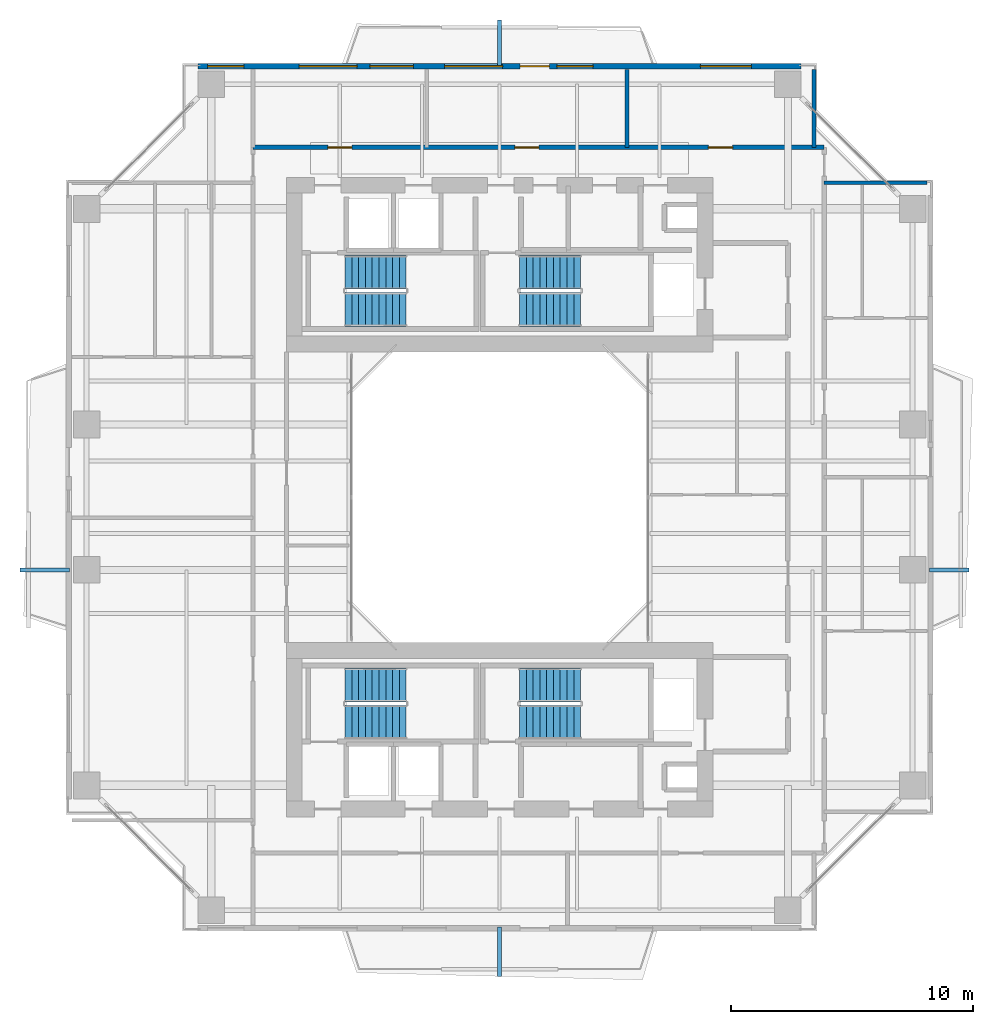
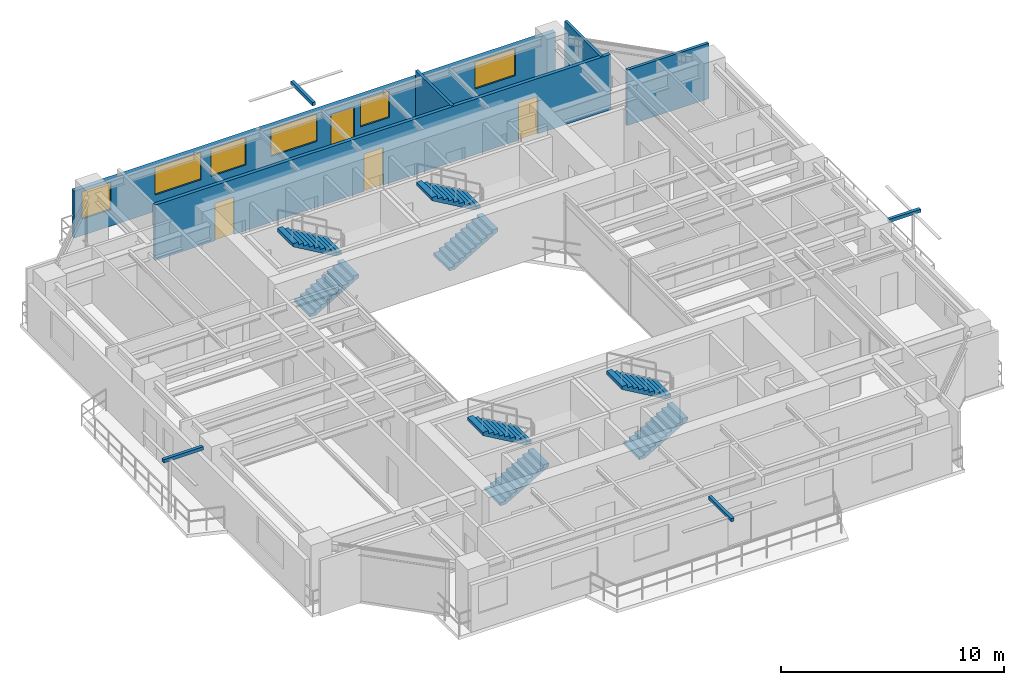
# One storey, part 13 of 16: 8 stair flights, 6 windows, 5 walls, 4 discrete accessories, 4 doors, 10 openings, 4 elements without a shape of their own.
"""IFC4 building model written with IfcOpenShell, lengths in metres."""

from ifc_helpers import new_model, si_unit, direction, frame, frame_2d, origin, origin_2d, place, context, subcontext, project, spatial, polyline, rectangle, outline, extrude, source, transform, mapped, material, layer, layer_set, type_object, element, fill, aggregate, save


model = new_model("IFC4")

# Units and contexts
model_context = context("Model", 3, precision=1e-05, world=origin(), true_north=direction((0.0, 1.0)))
body_context = subcontext(model_context, "Body", "Model", "MODEL_VIEW")
ifc_project = project(units=[si_unit("LENGTHUNIT", "METRE"), si_unit("AREAUNIT", "SQUARE_METRE"), si_unit("VOLUMEUNIT", "CUBIC_METRE"), si_unit("PLANEANGLEUNIT", "RADIAN"), si_unit("MASSUNIT", "GRAM", prefix="KILO"), si_unit("THERMODYNAMICTEMPERATUREUNIT", "KELVIN"), si_unit("POWERUNIT", "WATT")], contexts=[model_context])

# Site, building, storey
site_placement = place(None, origin())
site = spatial("IfcSite", under=ifc_project, at=site_placement, CompositionType="ELEMENT")
building_placement = place(site_placement, origin())
building = spatial("IfcBuilding", under=site, at=building_placement, Name="Qiaomeng Ring Towers", CompositionType="ELEMENT")
storey_placement = place(building_placement, frame((0.0, 0.0, 136.0)))
storey = spatial("IfcBuildingStorey", under=building, at=storey_placement, Name="L39", CompositionType="ELEMENT", Elevation=136.0)

# Wall, openings, windows, door
ifc_material_1 = material(Name="Precast concrete C40", Category="concrete")
ifc_layer_1 = layer(ifc_material_1, 0.219970703125, Name="Precast concrete C40")
ifc_layer_set_1 = layer_set([ifc_layer_1], Name="Precast concrete C40")
wall_type_1 = type_object("IfcWallType", Name="ARC-WL-EW2", PredefinedType="STANDARD", material=ifc_layer_set_1)
wall_1_placement = place(storey_placement, frame((6.550048828125, 40.7900390625, 0.0), z_axis=(0.0, 0.0, 1.0), x_axis=(1.0, 0.0, 0.0)))
wall_1 = element("IfcWall", 1, at=wall_1_placement, inside=storey, type_object=wall_type_1, Name="L39 Tower 1 N Exterior Wall", PredefinedType="STANDARD", context=body_context, shape_type="SweptSolid", body=[
    extrude(rectangle(XDim=24.89990234375, YDim=0.219970703125, at=frame_2d((12.449951171875, 0.0))), origin(), (0.0, 0.0, 1.0), 2.570068359375),
])
opening_1_placement = place(wall_1_placement, frame((13.300048828125, 0.0, 0.0)))
opening_1 = element("IfcOpeningElement", 2, at=opening_1_placement, cuts=wall_1, Name="Opening BD1", PredefinedType="OPENING", context=body_context, shape_type="SweptSolid", body=[
    extrude(rectangle(XDim=1.199951171875, YDim=2.10009765625, at=frame_2d((0.60009765625, 1.050048828125))), frame((0.0, 0.119873046875, 0.0), z_axis=(0.0, -1.0, 0.0), x_axis=(1.0, 0.0, 0.0)), (0.0, 0.0, 1.0), 0.239990234375),
])
opening_2_placement = place(wall_1_placement, frame((0.392578125, 0.0, 0.89990234375)))
opening_2 = element("IfcOpeningElement", 3, at=opening_2_placement, cuts=wall_1, Name="Opening WN2", PredefinedType="OPENING", context=body_context, shape_type="SweptSolid", body=[
    extrude(rectangle(XDim=1.5, YDim=1.5, at=frame_2d((0.75, 0.75))), frame((0.0, 0.119873046875, 0.0), z_axis=(0.0, -1.0, 0.0), x_axis=(1.0, 0.0, 0.0)), (0.0, 0.0, 1.0), 0.239990234375),
])
opening_3_placement = place(wall_1_placement, frame((7.08837890625, 0.0, 0.89990234375)))
opening_3 = element("IfcOpeningElement", 4, at=opening_3_placement, cuts=wall_1, Name="Opening WN1", PredefinedType="OPENING", context=body_context, shape_type="SweptSolid", body=[
    extrude(rectangle(XDim=1.800048828125, YDim=1.5, at=frame_2d((0.89990234375, 0.75))), frame((0.0, 0.119873046875, 0.0), z_axis=(0.0, -1.0, 0.0), x_axis=(1.0, 0.0, 0.0)), (0.0, 0.0, 1.0), 0.239990234375),
])
opening_4_placement = place(wall_1_placement, frame((14.81298828125, 0.0, 0.89990234375)))
opening_4 = element("IfcOpeningElement", 5, at=opening_4_placement, cuts=wall_1, Name="Opening WN2", PredefinedType="OPENING", context=body_context, shape_type="SweptSolid", body=[
    extrude(rectangle(XDim=1.5, YDim=1.449951171875, at=frame_2d((0.75, 0.72509765625))), frame((0.0, 0.119873046875, 0.0), z_axis=(0.0, -1.0, 0.0), x_axis=(1.0, 0.0, 0.0)), (0.0, 0.0, 1.0), 0.239990234375),
])
opening_5_placement = place(wall_1_placement, frame((20.738037109375, 0.0, 0.89990234375)))
opening_5 = element("IfcOpeningElement", 6, at=opening_5_placement, cuts=wall_1, Name="Opening WN4", PredefinedType="OPENING", context=body_context, shape_type="SweptSolid", body=[
    extrude(rectangle(XDim=2.10009765625, YDim=1.47998046875, at=frame_2d((1.050048828125, 0.739990234375))), frame((0.0, 0.119873046875, 0.0), z_axis=(0.0, -1.0, 0.0), x_axis=(1.0, 0.0, 0.0)), (0.0, 0.0, 1.0), 0.239990234375),
])
opening_6_placement = place(wall_1_placement, frame((4.17138671875, 0.0, 0.89990234375)))
opening_6 = element("IfcOpeningElement", 7, at=opening_6_placement, cuts=wall_1, Name="Opening WN6", PredefinedType="OPENING", context=body_context, shape_type="SweptSolid", body=[
    extrude(rectangle(XDim=2.39990234375, YDim=1.5, at=frame_2d((1.199951171875, 0.75))), frame((0.0, 0.119873046875, 0.0), z_axis=(0.0, -1.0, 0.0), x_axis=(1.0, 0.0, 0.0)), (0.0, 0.0, 1.0), 0.239990234375),
])
opening_7_placement = place(wall_1_placement, frame((10.177490234375, 0.0, 0.89990234375)))
opening_7 = element("IfcOpeningElement", 8, at=opening_7_placement, cuts=wall_1, Name="Opening WN6", PredefinedType="OPENING", context=body_context, shape_type="SweptSolid", body=[
    extrude(rectangle(XDim=2.39990234375, YDim=1.5, at=frame_2d((1.199951171875, 0.75))), frame((0.0, 0.119873046875, 0.0), z_axis=(0.0, -1.0, 0.0), x_axis=(1.0, 0.0, 0.0)), (0.0, 0.0, 1.0), 0.239990234375),
])
ifc_material_2 = material(Name="Low-E dark-grey laminated double glazing", Category="glass")
window_type_1 = type_object("IfcWindowType", Name="ARC-WN-2", PartitioningType="DOUBLE_PANEL_VERTICAL", PredefinedType="WINDOW", material=ifc_material_2)
shared_shape_1 = source(origin(), body_context, "Body", "SweptSolid", [
    extrude(rectangle(XDim=1.5, YDim=1.449951171875, at=frame_2d((0.75, 0.72509765625))), frame((0.0, 0.030029296875, 0.0), z_axis=(0.0, -1.0, 0.0), x_axis=(1.0, 0.0, 0.0)), (0.0, 0.0, 1.0), 0.06005859375),
])
window_1_placement = place(opening_4_placement, origin())
window_1 = element("IfcWindow", 9, at=window_1_placement, inside=storey, type_object=window_type_1, Name="L39 Exterior Window WN2", OverallHeight=1.449951171875, OverallWidth=1.5, PartitioningType="DOUBLE_PANEL_VERTICAL", PredefinedType="WINDOW", context=body_context, shape_type="MappedRepresentation", body=[
    mapped(shared_shape_1, transform((0.0, 0.0, 0.0), x_axis=(1.0, 0.0, 0.0), y_axis=(0.0, 1.0, 0.0), z_axis=(0.0, 0.0, 1.0), scale=1.0)),
])
fill(opening_4, window_1)
window_type_2 = type_object("IfcWindowType", Name="ARC-WN-4", PartitioningType="TRIPLE_PANEL_VERTICAL", PredefinedType="WINDOW", material=ifc_material_2)
shared_shape_2 = source(origin(), body_context, "Body", "SweptSolid", [
    extrude(rectangle(XDim=2.10009765625, YDim=1.47998046875, at=frame_2d((1.050048828125, 0.739990234375))), frame((0.0, 0.030029296875, 0.0), z_axis=(0.0, -1.0, 0.0), x_axis=(1.0, 0.0, 0.0)), (0.0, 0.0, 1.0), 0.06005859375),
])
window_2_placement = place(opening_5_placement, origin())
window_2 = element("IfcWindow", 10, at=window_2_placement, inside=storey, type_object=window_type_2, Name="L39 Exterior Window WN4", OverallHeight=1.47998046875, OverallWidth=2.10009765625, PartitioningType="TRIPLE_PANEL_VERTICAL", PredefinedType="WINDOW", context=body_context, shape_type="MappedRepresentation", body=[
    mapped(shared_shape_2, transform((0.0, 0.0, 0.0), x_axis=(1.0, 0.0, 0.0), y_axis=(0.0, 1.0, 0.0), z_axis=(0.0, 0.0, 1.0), scale=1.0)),
])
fill(opening_5, window_2)
door_type_1 = type_object("IfcDoorType", Name="ARC-DR-BD1", OperationType="NOTDEFINED", PredefinedType="DOOR", material=ifc_material_2)
shared_shape_3 = source(origin(), body_context, "Body", "SweptSolid", [
    extrude(rectangle(XDim=1.199951171875, YDim=2.10009765625, at=frame_2d((0.60009765625, 1.050048828125))), frame((0.0, 0.02490234375, 0.0), z_axis=(0.0, -1.0, 0.0), x_axis=(1.0, 0.0, 0.0)), (0.0, 0.0, 1.0), 0.050048828125),
])
door_1_placement = place(opening_1_placement, origin())
door_1 = element("IfcDoor", 11, at=door_1_placement, inside=storey, type_object=door_type_1, Name="L39 N Balcony Glazed Door", OperationType="SINGLE_SWING_LEFT", OverallHeight=2.10009765625, OverallWidth=1.199951171875, PredefinedType="DOOR", context=body_context, shape_type="MappedRepresentation", body=[
    mapped(shared_shape_3, transform((0.0, 0.0, 0.0), x_axis=(1.0, 0.0, 0.0), y_axis=(0.0, 1.0, 0.0), z_axis=(0.0, 0.0, 1.0), scale=1.0)),
])
fill(opening_1, door_1)
shared_shape_4 = source(origin(), body_context, "Body", "SweptSolid", [
    extrude(rectangle(XDim=1.5, YDim=1.5, at=frame_2d((0.75, 0.75))), frame((0.0, 0.030029296875, 0.0), z_axis=(0.0, -1.0, 0.0), x_axis=(1.0, 0.0, 0.0)), (0.0, 0.0, 1.0), 0.06005859375),
])
window_3_placement = place(opening_2_placement, origin())
window_3 = element("IfcWindow", 12, at=window_3_placement, inside=storey, type_object=window_type_1, Name="L39 Exterior Window WN6", OverallHeight=1.5, OverallWidth=1.5, PartitioningType="TRIPLE_PANEL_VERTICAL", PredefinedType="WINDOW", context=body_context, shape_type="MappedRepresentation", body=[
    mapped(shared_shape_4, transform((0.0, 0.0, 0.0), x_axis=(1.0, 0.0, 0.0), y_axis=(0.0, 1.0, 0.0), z_axis=(0.0, 0.0, 1.0), scale=1.0)),
])
fill(opening_2, window_3)
window_type_3 = type_object("IfcWindowType", Name="ARC-WN-6", PartitioningType="TRIPLE_PANEL_VERTICAL", PredefinedType="WINDOW", material=ifc_material_2)
shared_shape_5 = source(origin(), body_context, "Body", "SweptSolid", [
    extrude(rectangle(XDim=2.39990234375, YDim=1.5, at=frame_2d((1.199951171875, 0.75))), frame((0.0, 0.030029296875, 0.0), z_axis=(0.0, -1.0, 0.0), x_axis=(1.0, 0.0, 0.0)), (0.0, 0.0, 1.0), 0.06005859375),
])
window_4_placement = place(opening_6_placement, origin())
window_4 = element("IfcWindow", 13, at=window_4_placement, inside=storey, type_object=window_type_3, Name="L39 Exterior Window WN6", OverallHeight=1.5, OverallWidth=2.39990234375, PartitioningType="TRIPLE_PANEL_VERTICAL", PredefinedType="WINDOW", context=body_context, shape_type="MappedRepresentation", body=[
    mapped(shared_shape_5, transform((0.0, 0.0, 0.0), x_axis=(1.0, 0.0, 0.0), y_axis=(0.0, 1.0, 0.0), z_axis=(0.0, 0.0, 1.0), scale=1.0)),
])
fill(opening_6, window_4)
window_5_placement = place(opening_7_placement, origin())
window_5 = element("IfcWindow", 14, at=window_5_placement, inside=storey, type_object=window_type_3, Name="L39 Exterior Window WN6", OverallHeight=1.5, OverallWidth=2.39990234375, PartitioningType="TRIPLE_PANEL_VERTICAL", PredefinedType="WINDOW", context=body_context, shape_type="MappedRepresentation", body=[
    mapped(shared_shape_5, transform((0.0, 0.0, 0.0), x_axis=(1.0, 0.0, 0.0), y_axis=(0.0, 1.0, 0.0), z_axis=(0.0, 0.0, 1.0), scale=1.0)),
])
fill(opening_7, window_5)
window_type_4 = type_object("IfcWindowType", Name="ARC-WN-1", PartitioningType="DOUBLE_PANEL_VERTICAL", PredefinedType="WINDOW", material=ifc_material_2)
shared_shape_6 = source(origin(), body_context, "Body", "SweptSolid", [
    extrude(rectangle(XDim=1.800048828125, YDim=1.5, at=frame_2d((0.89990234375, 0.75))), frame((0.0, 0.030029296875, 0.0), z_axis=(0.0, -1.0, 0.0), x_axis=(1.0, 0.0, 0.0)), (0.0, 0.0, 1.0), 0.06005859375),
])
window_6_placement = place(opening_3_placement, origin())
window_6 = element("IfcWindow", 15, at=window_6_placement, inside=storey, type_object=window_type_4, Name="L39 Exterior Window WN1", OverallHeight=1.5, OverallWidth=1.800048828125, PartitioningType="DOUBLE_PANEL_VERTICAL", PredefinedType="WINDOW", context=body_context, shape_type="MappedRepresentation", body=[
    mapped(shared_shape_6, transform((0.0, 0.0, 0.0), x_axis=(1.0, 0.0, 0.0), y_axis=(0.0, 1.0, 0.0), z_axis=(0.0, 0.0, 1.0), scale=1.0)),
])
fill(opening_3, window_6)

# Wall, openings, doors
ifc_material_3 = material(Name="Autoclaved aerated concrete block", Category="concrete")
ifc_layer_2 = layer(ifc_material_3, 0.179931640625, Name="Autoclaved aerated concrete block")
ifc_layer_set_2 = layer_set([ifc_layer_2], Name="Autoclaved aerated concrete block")
wall_type_2 = type_object("IfcWallType", Name="ARC-WL-PW2", PredefinedType="PARTITIONING", material=ifc_layer_set_2)
wall_2_placement = place(storey_placement, frame((8.820068359375, 37.43994140625, 0.0), z_axis=(0.0, 0.0, 1.0), x_axis=(1.0, 0.0, 0.0)))
wall_2 = element("IfcWall", 16, at=wall_2_placement, inside=storey, type_object=wall_type_2, Name="L39 Interior Wall PW2", PredefinedType="PARTITIONING", context=body_context, shape_type="SweptSolid", body=[
    extrude(rectangle(XDim=23.579833984375, YDim=0.179931640625, at=frame_2d((11.7900390625, 0.0))), origin(), (0.0, 0.0, 1.0), 3.030029296875),
])
opening_8_placement = place(wall_2_placement, frame((3.0849609375, 0.0, 0.0)))
opening_8 = element("IfcOpeningElement", 17, at=opening_8_placement, cuts=wall_2, Name="Opening FD4", PredefinedType="OPENING", context=body_context, shape_type="SweptSolid", body=[
    extrude(rectangle(XDim=1.0, YDim=2.050048828125, at=frame_2d((0.5, 1.02490234375))), frame((0.0, 0.099853515625, 0.0), z_axis=(0.0, -1.0, 0.0), x_axis=(1.0, 0.0, 0.0)), (0.0, 0.0, 1.0), 0.199951171875),
])
opening_9_placement = place(wall_2_placement, frame((10.804931640625, 0.0, 0.0)))
opening_9 = element("IfcOpeningElement", 18, at=opening_9_placement, cuts=wall_2, Name="Opening FD4", PredefinedType="OPENING", context=body_context, shape_type="SweptSolid", body=[
    extrude(rectangle(XDim=1.0, YDim=2.050048828125, at=frame_2d((0.5, 1.02490234375))), frame((0.0, 0.099853515625, 0.0), z_axis=(0.0, -1.0, 0.0), x_axis=(1.0, 0.0, 0.0)), (0.0, 0.0, 1.0), 0.199951171875),
])
opening_10_placement = place(wall_2_placement, frame((18.800048828125, 0.0, 0.0)))
opening_10 = element("IfcOpeningElement", 19, at=opening_10_placement, cuts=wall_2, Name="Opening FD4", PredefinedType="OPENING", context=body_context, shape_type="SweptSolid", body=[
    extrude(rectangle(XDim=1.0, YDim=2.050048828125, at=frame_2d((0.5, 1.02490234375))), frame((0.0, 0.099853515625, 0.0), z_axis=(0.0, -1.0, 0.0), x_axis=(1.0, 0.0, 0.0)), (0.0, 0.0, 1.0), 0.199951171875),
])
ifc_material_4 = material(Name="Engineered fire-rated oak timber", Category="wood")
door_type_2 = type_object("IfcDoorType", Name="ARC-DR-FD4", OperationType="NOTDEFINED", PredefinedType="DOOR", material=ifc_material_4)
shared_shape_7 = source(origin(), body_context, "Body", "SweptSolid", [
    extrude(rectangle(XDim=1.0, YDim=2.050048828125, at=frame_2d((0.5, 1.02490234375))), frame((0.0, 0.02490234375, 0.0), z_axis=(0.0, -1.0, 0.0), x_axis=(1.0, 0.0, 0.0)), (0.0, 0.0, 1.0), 0.050048828125),
])
door_2_placement = place(opening_8_placement, origin())
door_2 = element("IfcDoor", 20, at=door_2_placement, inside=storey, type_object=door_type_2, Name="L39 Door FD4", OperationType="SINGLE_SWING_LEFT", OverallHeight=2.050048828125, OverallWidth=1.0, PredefinedType="DOOR", context=body_context, shape_type="MappedRepresentation", body=[
    mapped(shared_shape_7, transform((0.0, 0.0, 0.0), x_axis=(1.0, 0.0, 0.0), y_axis=(0.0, 1.0, 0.0), z_axis=(0.0, 0.0, 1.0), scale=1.0)),
])
fill(opening_8, door_2)
door_3_placement = place(opening_9_placement, origin())
door_3 = element("IfcDoor", 21, at=door_3_placement, inside=storey, type_object=door_type_2, Name="L39 Door FD4", OperationType="SINGLE_SWING_RIGHT", OverallHeight=2.050048828125, OverallWidth=1.0, PredefinedType="DOOR", context=body_context, shape_type="MappedRepresentation", body=[
    mapped(shared_shape_7, transform((0.0, 0.0, 0.0), x_axis=(1.0, 0.0, 0.0), y_axis=(0.0, 1.0, 0.0), z_axis=(0.0, 0.0, 1.0), scale=1.0)),
])
fill(opening_9, door_3)
door_4_placement = place(opening_10_placement, origin())
door_4 = element("IfcDoor", 22, at=door_4_placement, inside=storey, type_object=door_type_2, Name="L39 Door FD4", OperationType="SINGLE_SWING_LEFT", OverallHeight=2.050048828125, OverallWidth=1.0, PredefinedType="DOOR", context=body_context, shape_type="MappedRepresentation", body=[
    mapped(shared_shape_7, transform((0.0, 0.0, 0.0), x_axis=(1.0, 0.0, 0.0), y_axis=(0.0, 1.0, 0.0), z_axis=(0.0, 0.0, 1.0), scale=1.0)),
])
fill(opening_10, door_4)

# Walls
ifc_material_5 = material(Name="Gypsum fireboard steel-stud partition", Category="steel")
ifc_layer_3 = layer(ifc_material_5, 0.14990234375, Name="Gypsum fireboard steel-stud partition")
ifc_layer_set_3 = layer_set([ifc_layer_3], Name="Gypsum fireboard steel-stud partition")
wall_type_3 = type_object("IfcWallType", Name="ARC-WL-PW3", PredefinedType="PARTITIONING", material=ifc_layer_set_3)
for number, where, z_axis, x_axis, name in (
    (23, (24.260009765625, 37.43994140625, 0.0), (0.0, 0.0, 1.0), (0.0, 1.0, 0.0), "L39 Interior Wall PW3"),
    (24, (31.97998046875, 37.43994140625, 0.0), (0.0, 0.0, 1.0), (0.0, 1.0, 0.0), "L39 Interior Wall PW3"),
):
    element("IfcWall", number, at=place(storey_placement, frame(where, z_axis=z_axis, x_axis=x_axis)), inside=storey, type_object=wall_type_3, Name=name, PredefinedType="PARTITIONING", context=body_context, shape_type="SweptSolid", body=[
        extrude(rectangle(XDim=3.2099609375, YDim=0.14990234375, at=frame_2d((1.60498046875, 0.0))), origin(), (0.0, 0.0, 1.0), 3.030029296875),
    ])
wall_3_placement = place(storey_placement, frame((32.39990234375, 35.97998046875, 0.0), z_axis=(0.0, 0.0, 1.0), x_axis=(1.0, 0.0, 0.0)))
element("IfcWall", 25, at=wall_3_placement, inside=storey, type_object=wall_type_3, Name="L39 Interior Wall PW3", PredefinedType="PARTITIONING", context=body_context, shape_type="SweptSolid", body=[
    extrude(rectangle(XDim=4.25, YDim=0.14990234375, at=frame_2d((2.125, 0.0))), origin(), (0.0, 0.0, 1.0), 3.030029296875),
])

# Stair, stair flights
stair_type = type_object("IfcStairType", Name="ARC-ST-325", PredefinedType="HALF_TURN_STAIR", material=ifc_material_1)
stair_1_placement = place(storey_placement, origin())
stair_1 = element("IfcStair", 26, at=stair_1_placement, inside=storey, type_object=stair_type, Name="L39 Tower 1 North Stair 1", PredefinedType="HALF_TURN_STAIR")
stair_flight_type = type_object("IfcStairFlightType", Name="ARC-ST-325-FL", PredefinedType="STRAIGHT", material=ifc_material_1)
shared_shape_8 = source(origin(), body_context, "Body", "SweptSolid", [
    extrude(outline(polyline([(0.0, 0.0), (0.0, 0.16259765625), (0.280029296875, 0.16259765625), (0.280029296875, 0.324951171875), (0.56005859375, 0.324951171875), (0.56005859375, 0.487548828125), (0.840087890625, 0.487548828125), (0.840087890625, 0.64990234375), (1.1201171875, 0.64990234375), (1.1201171875, 0.8125), (1.39990234375, 0.8125), (1.39990234375, 0.97509765625), (1.679931640625, 0.97509765625), (1.679931640625, 1.137451171875), (1.9599609375, 1.137451171875), (1.9599609375, 1.300048828125), (2.239990234375, 1.300048828125), (2.239990234375, 1.46240234375), (2.52001953125, 1.46240234375), (2.52001953125, 1.625), (2.52001953125, 1.2890625), (0.298583984375, 0.0), (0.0, 0.0)])), frame((0.0, 0.699951171875, 0.0), z_axis=(0.0, -1.0, 0.0), x_axis=(1.0, 0.0, 0.0)), (0.0, 0.0, 1.0), 1.39990234375),
])
stair_flight_1_placement = place(storey_placement, frame((12.6201171875, 30.75, 0.0), z_axis=(0.0, 0.0, 1.0), x_axis=(1.0, 0.0, 0.0)))
stair_flight_1 = element("IfcStairFlight", 27, at=stair_flight_1_placement, type_object=stair_flight_type, Name="ST1 flight 1", NumberOfRisers=10, NumberOfTreads=9, PredefinedType="STRAIGHT", RiserHeight=0.1625, TreadLength=0.28, context=body_context, shape_type="MappedRepresentation", body=[
    mapped(shared_shape_8, transform((0.0, 0.0, 0.0), x_axis=(1.0, 0.0, 0.0), y_axis=(0.0, 1.0, 0.0), z_axis=(0.0, 0.0, 1.0), scale=1.0)),
])
stair_flight_2_placement = place(storey_placement, frame((15.139892578125, 32.2900390625, 1.625), z_axis=(0.0, 0.0, 1.0), x_axis=(-1.0, 0.0, 0.0)))
stair_flight_2 = element("IfcStairFlight", 28, at=stair_flight_2_placement, type_object=stair_flight_type, Name="ST1 flight 2", NumberOfRisers=10, NumberOfTreads=9, PredefinedType="STRAIGHT", RiserHeight=0.1625, TreadLength=0.28, context=body_context, shape_type="MappedRepresentation", body=[
    mapped(shared_shape_8, transform((0.0, 0.0, 0.0), x_axis=(1.0, 0.0, 0.0), y_axis=(0.0, 1.0, 0.0), z_axis=(0.0, 0.0, 1.0), scale=1.0)),
])
aggregate(stair_1, [stair_flight_1, stair_flight_2])

stair_2_placement = place(storey_placement, origin())
stair_2 = element("IfcStair", 29, at=stair_2_placement, inside=storey, type_object=stair_type, Name="L39 Tower 1 North Stair 2", PredefinedType="HALF_TURN_STAIR")
stair_flight_3_placement = place(storey_placement, frame((19.820068359375, 30.75, 0.0), z_axis=(0.0, 0.0, 1.0), x_axis=(1.0, 0.0, 0.0)))
stair_flight_3 = element("IfcStairFlight", 30, at=stair_flight_3_placement, type_object=stair_flight_type, Name="ST2 flight 1", NumberOfRisers=10, NumberOfTreads=9, PredefinedType="STRAIGHT", RiserHeight=0.1625, TreadLength=0.28, context=body_context, shape_type="MappedRepresentation", body=[
    mapped(shared_shape_8, transform((0.0, 0.0, 0.0), x_axis=(1.0, 0.0, 0.0), y_axis=(0.0, 1.0, 0.0), z_axis=(0.0, 0.0, 1.0), scale=1.0)),
])
stair_flight_4_placement = place(storey_placement, frame((22.340087890625, 32.2900390625, 1.625), z_axis=(0.0, 0.0, 1.0), x_axis=(-1.0, 0.0, 0.0)))
stair_flight_4 = element("IfcStairFlight", 31, at=stair_flight_4_placement, type_object=stair_flight_type, Name="ST2 flight 2", NumberOfRisers=10, NumberOfTreads=9, PredefinedType="STRAIGHT", RiserHeight=0.1625, TreadLength=0.28, context=body_context, shape_type="MappedRepresentation", body=[
    mapped(shared_shape_8, transform((0.0, 0.0, 0.0), x_axis=(1.0, 0.0, 0.0), y_axis=(0.0, 1.0, 0.0), z_axis=(0.0, 0.0, 1.0), scale=1.0)),
])
aggregate(stair_2, [stair_flight_3, stair_flight_4])

stair_3_placement = place(storey_placement, origin())
stair_3 = element("IfcStair", 32, at=stair_3_placement, inside=storey, type_object=stair_type, Name="L39 Tower 1 South Stair 3", PredefinedType="HALF_TURN_STAIR")
stair_flight_5_placement = place(storey_placement, frame((12.6201171875, 13.7099609375, 0.0), z_axis=(0.0, 0.0, 1.0), x_axis=(1.0, 0.0, 0.0)))
stair_flight_5 = element("IfcStairFlight", 33, at=stair_flight_5_placement, type_object=stair_flight_type, Name="ST3 flight 1", NumberOfRisers=10, NumberOfTreads=9, PredefinedType="STRAIGHT", RiserHeight=0.1625, TreadLength=0.28, context=body_context, shape_type="MappedRepresentation", body=[
    mapped(shared_shape_8, transform((0.0, 0.0, 0.0), x_axis=(1.0, 0.0, 0.0), y_axis=(0.0, 1.0, 0.0), z_axis=(0.0, 0.0, 1.0), scale=1.0)),
])
stair_flight_6_placement = place(storey_placement, frame((15.139892578125, 15.25, 1.625), z_axis=(0.0, 0.0, 1.0), x_axis=(-1.0, 0.0, 0.0)))
stair_flight_6 = element("IfcStairFlight", 34, at=stair_flight_6_placement, type_object=stair_flight_type, Name="ST3 flight 2", NumberOfRisers=10, NumberOfTreads=9, PredefinedType="STRAIGHT", RiserHeight=0.1625, TreadLength=0.28, context=body_context, shape_type="MappedRepresentation", body=[
    mapped(shared_shape_8, transform((0.0, 0.0, 0.0), x_axis=(1.0, 0.0, 0.0), y_axis=(0.0, 1.0, 0.0), z_axis=(0.0, 0.0, 1.0), scale=1.0)),
])
aggregate(stair_3, [stair_flight_5, stair_flight_6])

stair_4_placement = place(storey_placement, origin())
stair_4 = element("IfcStair", 35, at=stair_4_placement, inside=storey, type_object=stair_type, Name="L39 Tower 1 South Stair 4", PredefinedType="HALF_TURN_STAIR")
stair_flight_7_placement = place(storey_placement, frame((19.820068359375, 13.7099609375, 0.0), z_axis=(0.0, 0.0, 1.0), x_axis=(1.0, 0.0, 0.0)))
stair_flight_7 = element("IfcStairFlight", 36, at=stair_flight_7_placement, type_object=stair_flight_type, Name="ST4 flight 1", NumberOfRisers=10, NumberOfTreads=9, PredefinedType="STRAIGHT", RiserHeight=0.1625, TreadLength=0.28, context=body_context, shape_type="MappedRepresentation", body=[
    mapped(shared_shape_8, transform((0.0, 0.0, 0.0), x_axis=(1.0, 0.0, 0.0), y_axis=(0.0, 1.0, 0.0), z_axis=(0.0, 0.0, 1.0), scale=1.0)),
])
stair_flight_8_placement = place(storey_placement, frame((22.340087890625, 15.25, 1.625), z_axis=(0.0, 0.0, 1.0), x_axis=(-1.0, 0.0, 0.0)))
stair_flight_8 = element("IfcStairFlight", 37, at=stair_flight_8_placement, type_object=stair_flight_type, Name="ST4 flight 2", NumberOfRisers=10, NumberOfTreads=9, PredefinedType="STRAIGHT", RiserHeight=0.1625, TreadLength=0.28, context=body_context, shape_type="MappedRepresentation", body=[
    mapped(shared_shape_8, transform((0.0, 0.0, 0.0), x_axis=(1.0, 0.0, 0.0), y_axis=(0.0, 1.0, 0.0), z_axis=(0.0, 0.0, 1.0), scale=1.0)),
])
aggregate(stair_4, [stair_flight_7, stair_flight_8])

# Discrete accessories
ifc_material_6 = material(Name="Stainless steel 316", Category="steel")
discrete_accessory_type = type_object("IfcDiscreteAccessoryType", Name="ARC-ACC-BRACKET", PredefinedType="BRACKET", material=ifc_material_6)
shared_shape_9 = source(origin(), body_context, "Body", "SweptSolid", [
    extrude(rectangle(XDim=0.159912109375, YDim=2.030029296875, at=origin_2d()), origin(), (0.0, 0.0, 1.0), 0.179931640625),
])
discrete_accessory_1_placement = place(storey_placement, frame((19.0, 4.235107421875, 2.85986328125), z_axis=(0.0, 0.0, 1.0), x_axis=(1.0, 0.0, 0.0)))
element("IfcDiscreteAccessory", 38, at=discrete_accessory_1_placement, inside=storey, type_object=discrete_accessory_type, Name="L39 Stainless Outer-Skin Tie Bracket S", PredefinedType="BRACKET", context=body_context, shape_type="MappedRepresentation", body=[
    mapped(shared_shape_9, transform((0.0, 0.0, 0.0), x_axis=(1.0, 0.0, 0.0), y_axis=(0.0, 1.0, 0.0), z_axis=(0.0, 0.0, 1.0), scale=1.0)),
])
shared_shape_10 = source(origin(), body_context, "Body", "SweptSolid", [
    extrude(rectangle(XDim=1.6298828125, YDim=0.159912109375, at=origin_2d()), origin(), (0.0, 0.0, 1.0), 0.179931640625),
])
discrete_accessory_2_placement = place(storey_placement, frame((37.56494140625, 20.0, 2.85986328125), z_axis=(0.0, 0.0, 1.0), x_axis=(1.0, 0.0, 0.0)))
element("IfcDiscreteAccessory", 39, at=discrete_accessory_2_placement, inside=storey, type_object=discrete_accessory_type, Name="L39 Stainless Outer-Skin Tie Bracket E", PredefinedType="BRACKET", context=body_context, shape_type="MappedRepresentation", body=[
    mapped(shared_shape_10, transform((0.0, 0.0, 0.0), x_axis=(1.0, 0.0, 0.0), y_axis=(0.0, 1.0, 0.0), z_axis=(0.0, 0.0, 1.0), scale=1.0)),
])
shared_shape_11 = source(origin(), body_context, "Body", "SweptSolid", [
    extrude(rectangle(XDim=0.159912109375, YDim=1.949951171875, at=origin_2d()), origin(), (0.0, 0.0, 1.0), 0.179931640625),
])
discrete_accessory_3_placement = place(storey_placement, frame((19.0, 41.72509765625, 2.85986328125), z_axis=(0.0, 0.0, 1.0), x_axis=(1.0, 0.0, 0.0)))
element("IfcDiscreteAccessory", 40, at=discrete_accessory_3_placement, inside=storey, type_object=discrete_accessory_type, Name="L39 Stainless Outer-Skin Tie Bracket N", PredefinedType="BRACKET", context=body_context, shape_type="MappedRepresentation", body=[
    mapped(shared_shape_11, transform((0.0, 0.0, 0.0), x_axis=(1.0, 0.0, 0.0), y_axis=(0.0, 1.0, 0.0), z_axis=(0.0, 0.0, 1.0), scale=1.0)),
])
shared_shape_12 = source(origin(), body_context, "Body", "SweptSolid", [
    extrude(rectangle(XDim=2.050048828125, YDim=0.159912109375, at=origin_2d()), origin(), (0.0, 0.0, 1.0), 0.179931640625),
])
discrete_accessory_4_placement = place(storey_placement, frame((0.22509765625, 20.0, 2.85986328125), z_axis=(0.0, 0.0, 1.0), x_axis=(1.0, 0.0, 0.0)))
element("IfcDiscreteAccessory", 41, at=discrete_accessory_4_placement, inside=storey, type_object=discrete_accessory_type, Name="L39 Stainless Outer-Skin Tie Bracket W", PredefinedType="BRACKET", context=body_context, shape_type="MappedRepresentation", body=[
    mapped(shared_shape_12, transform((0.0, 0.0, 0.0), x_axis=(1.0, 0.0, 0.0), y_axis=(0.0, 1.0, 0.0), z_axis=(0.0, 0.0, 1.0), scale=1.0)),
])

save(model, "model.ifc")
